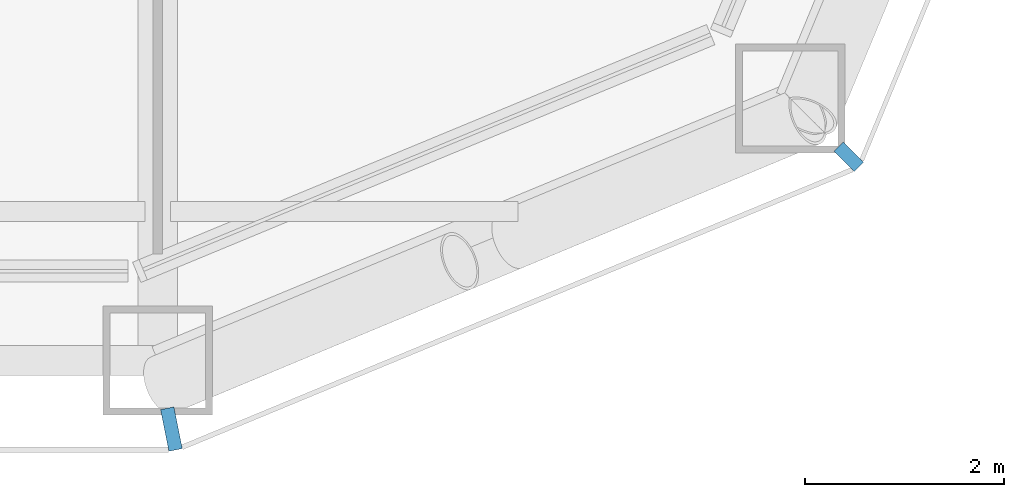
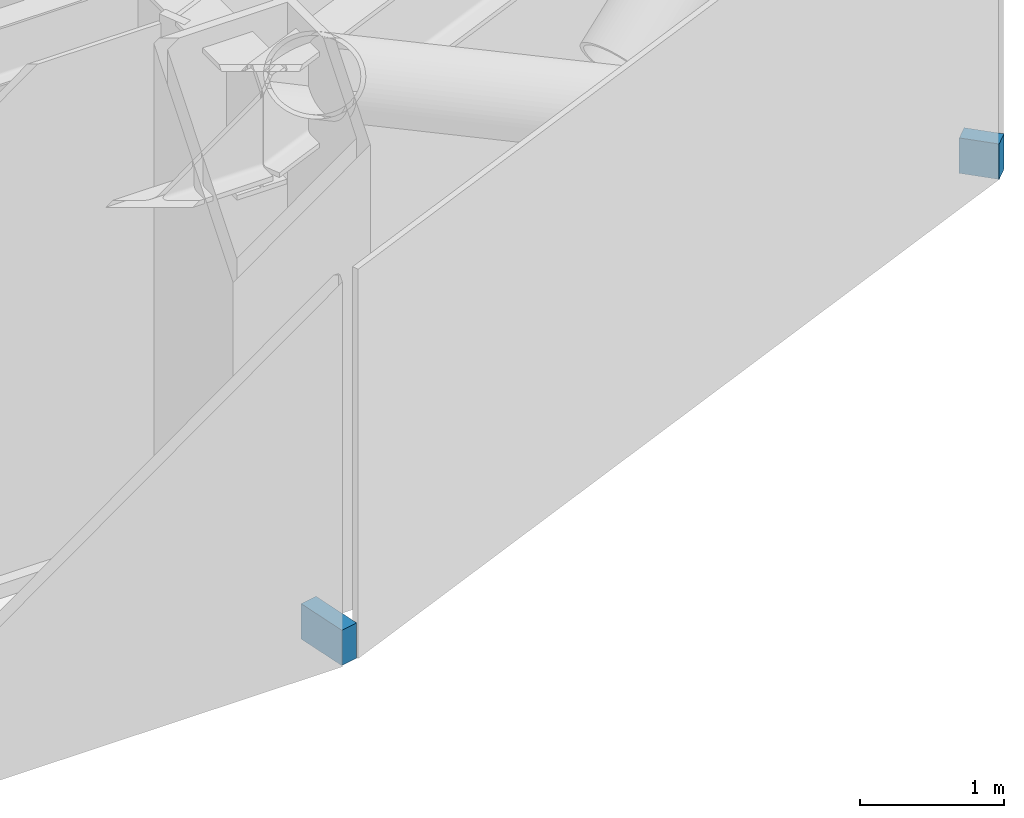
# One storey, part 18 of 29: 2 discrete accessories.
"""IFC4 building model written with IfcOpenShell, lengths in metres."""

from ifc_helpers import new_model, si_unit, direction, frame, origin, origin_2d, place, context, subcontext, project, spatial, rectangle, extrude, material, type_object, element, save


model = new_model("IFC4")

# Units and contexts
model_context = context("Model", 3, precision=1e-05, world=origin(), true_north=direction((0.0, 1.0)))
body_context = subcontext(model_context, "Body", "Model", "MODEL_VIEW")
ifc_project = project(units=[si_unit("LENGTHUNIT", "METRE"), si_unit("AREAUNIT", "SQUARE_METRE"), si_unit("VOLUMEUNIT", "CUBIC_METRE"), si_unit("PLANEANGLEUNIT", "RADIAN"), si_unit("MASSUNIT", "GRAM", prefix="KILO")], contexts=[model_context])

# Site, building, storey
site_placement = place(None, origin())
site = spatial("IfcSite", under=ifc_project, at=site_placement, CompositionType="ELEMENT")
building_placement = place(site_placement, origin())
building = spatial("IfcBuilding", under=site, at=building_placement, Name="Siwar Civic Tower", CompositionType="ELEMENT")
storey_placement = place(building_placement, frame((0.0, 0.0, 49.199951171875)))
storey = spatial("IfcBuildingStorey", under=building, at=storey_placement, Name="L10", CompositionType="ELEMENT", Elevation=49.199951171875)

# Discrete accessories
ifc_material = material(Name="Stainless steel 316", Category="steel")
discrete_accessory_type = type_object("IfcDiscreteAccessoryType", Name="ENV-BRACKET", PredefinedType="BRACKET", material=ifc_material)
discrete_accessory_1_placement = place(storey_placement, frame((22.63720703125, -32.190185546875, -0.14990234375), z_axis=(0.0, 0.0, 1.0), x_axis=(0.195090322016, -0.980785280403, 0.0)))
element("IfcDiscreteAccessory", 1, at=discrete_accessory_1_placement, inside=storey, type_object=discrete_accessory_type, Name="Bracket outer skin joint V01", PredefinedType="BRACKET", context=body_context, shape_type="SweptSolid", body=[
    extrude(rectangle(XDim=0.427734375, YDim=0.13720703125, at=origin_2d()), origin(), (0.0, 0.0, 1.0), 0.300048828125),
])
discrete_accessory_2_placement = place(storey_placement, frame((29.451416015625, -29.451416015625, -0.14990234375), z_axis=(0.0, 0.0, 1.0), x_axis=(0.707106781187, -0.707106781187, 0.0)))
element("IfcDiscreteAccessory", 2, at=discrete_accessory_2_placement, inside=storey, type_object=discrete_accessory_type, Name="Bracket outer skin joint V02", PredefinedType="BRACKET", context=body_context, shape_type="SweptSolid", body=[
    extrude(rectangle(XDim=0.287109375, YDim=0.12939453125, at=origin_2d()), origin(), (0.0, 0.0, 1.0), 0.300048828125),
])

save(model, "model.ifc")
